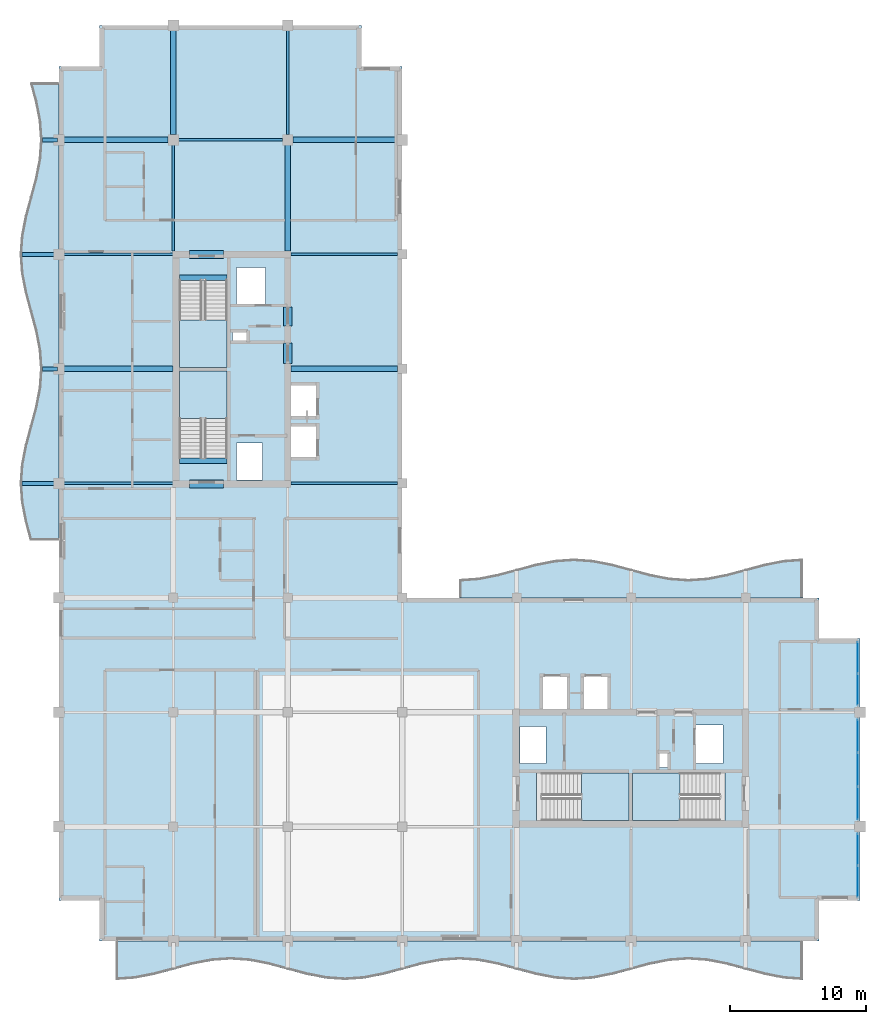
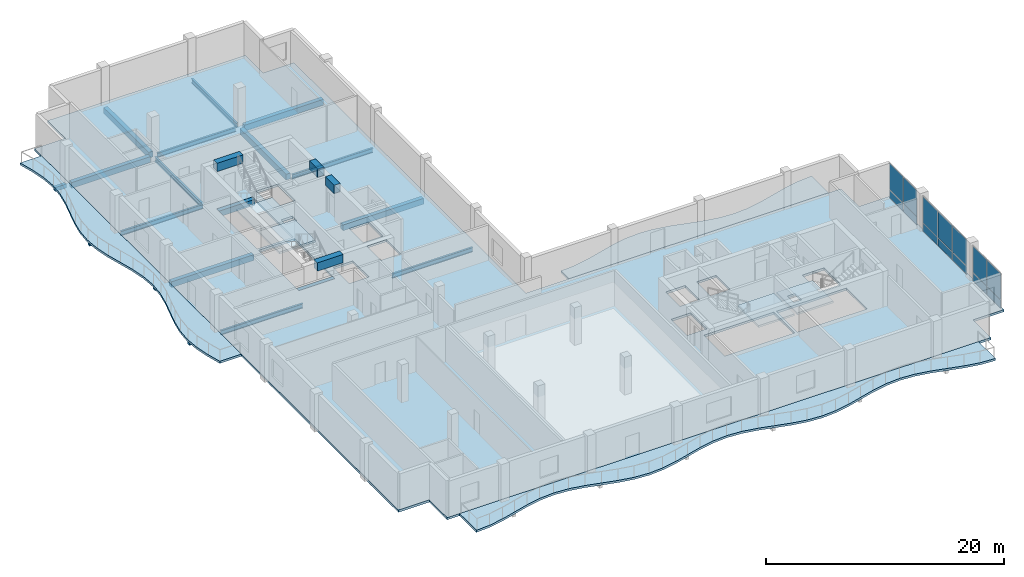
# One storey, part 5 of 14: 23 beams, 14 plates, 8 slabs, 7 elements without a shape of their own.
"""IFC4 building model written with IfcOpenShell, lengths in metres."""

from ifc_helpers import new_model, si_unit, direction, frame, origin, origin_2d, place, context, subcontext, project, spatial, polyline, rectangle, i_section, outline, extrude, material, layer, layer_set, material_profile, profile_set, type_object, element, aggregate, save


model = new_model("IFC4")

# Units and contexts
model_context = context("Model", 3, precision=1e-05, world=origin(), true_north=direction((0.0, 1.0)))
body_context = subcontext(model_context, "Body", "Model", "MODEL_VIEW")
ifc_project = project(units=[si_unit("LENGTHUNIT", "METRE"), si_unit("AREAUNIT", "SQUARE_METRE"), si_unit("VOLUMEUNIT", "CUBIC_METRE"), si_unit("PLANEANGLEUNIT", "RADIAN"), si_unit("MASSUNIT", "GRAM", prefix="KILO")], contexts=[model_context])

# Site, building, storey
site_placement = place(None, origin())
site = spatial("IfcSite", under=ifc_project, at=site_placement, CompositionType="ELEMENT")
building_placement = place(site_placement, origin())
building = spatial("IfcBuilding", under=site, at=building_placement, Name="Koriwani Terraces Tower", CompositionType="ELEMENT")
storey_placement = place(building_placement, frame((0.0, 0.0, 339.800048828125)))
storey = spatial("IfcBuildingStorey", under=building, at=storey_placement, Name="L84", CompositionType="ELEMENT", Elevation=339.800048828125)

# Beams
ifc_material_1 = material(Name="Concrete C40/50", Category="concrete")
ifc_material_profile_1 = material_profile(ifc_material_1, rectangle(XDim=0.300048828125, YDim=0.39990234375, at=origin_2d()), Name="Concrete C40/50", Category="LoadBearing")
ifc_profile_set_1 = profile_set([ifc_material_profile_1], Name="Concrete C40/50")
beam_type_1 = type_object("IfcBeamType", Name="BEAM_RC_BALCONY_RIB_300X400", PredefinedType="JOIST", material=ifc_profile_set_1)
beam_1_placement = place(storey_placement, frame((5.699951171875, 42.0, -0.429931640625), z_axis=(1.0, 0.0, 0.0), x_axis=(0.0, 1.0, 0.0)))
element("IfcBeam", 1, at=beam_1_placement, inside=storey, type_object=beam_type_1, Name="L84 Balcony Bracket Rib W-1", PredefinedType="JOIST", context=body_context, shape_type="SweptSolid", body=[
    extrude(rectangle(XDim=0.300048828125, YDim=0.39990234375, at=origin_2d()), origin(), (0.0, 0.0, 1.0), 2.60009765625),
])
beam_2_placement = place(storey_placement, frame((7.199951171875, 50.39990234375, -0.429931640625), z_axis=(1.0, 0.0, 0.0), x_axis=(0.0, 1.0, 0.0)))
element("IfcBeam", 2, at=beam_2_placement, inside=storey, type_object=beam_type_1, Name="L84 Balcony Bracket Rib W-2", PredefinedType="JOIST", context=body_context, shape_type="SweptSolid", body=[
    extrude(rectangle(XDim=0.300048828125, YDim=0.39990234375, at=origin_2d()), origin(), (0.0, 0.0, 1.0), 1.10009765625),
])
beam_3_placement = place(storey_placement, frame((5.699951171875, 58.800048828125, -0.429931640625), z_axis=(1.0, 0.0, 0.0), x_axis=(0.0, 1.0, 0.0)))
element("IfcBeam", 3, at=beam_3_placement, inside=storey, type_object=beam_type_1, Name="L84 Balcony Bracket Rib W-3", PredefinedType="JOIST", context=body_context, shape_type="SweptSolid", body=[
    extrude(rectangle(XDim=0.300048828125, YDim=0.39990234375, at=origin_2d()), origin(), (0.0, 0.0, 1.0), 2.60009765625),
])
beam_4_placement = place(storey_placement, frame((7.199951171875, 67.199951171875, -0.429931640625), z_axis=(1.0, 0.0, 0.0), x_axis=(0.0, 1.0, 0.0)))
element("IfcBeam", 4, at=beam_4_placement, inside=storey, type_object=beam_type_1, Name="L84 Balcony Bracket Rib W-4", PredefinedType="JOIST", context=body_context, shape_type="SweptSolid", body=[
    extrude(rectangle(XDim=0.300048828125, YDim=0.39990234375, at=origin_2d()), origin(), (0.0, 0.0, 1.0), 1.10009765625),
])
ifc_material_2 = material(Name="Concrete C50/60", Category="concrete")
ifc_material_profile_2 = material_profile(ifc_material_2, rectangle(XDim=0.60009765625, YDim=0.85009765625, at=origin_2d()), Name="Concrete C50/60", Category="LoadBearing")
ifc_profile_set_2 = profile_set([ifc_material_profile_2], Name="Concrete C50/60")
beam_type_2 = type_object("IfcBeamType", Name="BEAM_RC_COUPLING_600X850", PredefinedType="LINTEL", material=ifc_profile_set_2)
beam_5_placement = place(storey_placement, frame((25.199951171875, 50.800048828125, 3.244873046875), z_axis=(0.0, 1.0, 0.0), x_axis=(-1.0, 0.0, 0.0)))
element("IfcBeam", 5, at=beam_5_placement, inside=storey, type_object=beam_type_2, Name="L84 Core Coupling Lintel Beam WE1", PredefinedType="LINTEL", context=body_context, shape_type="SweptSolid", body=[
    extrude(rectangle(XDim=0.60009765625, YDim=0.85009765625, at=origin_2d()), origin(), (0.0, 0.0, 1.0), 1.47998046875),
])
beam_6_placement = place(storey_placement, frame((25.199951171875, 53.550048828125, 3.244873046875), z_axis=(0.0, 1.0, 0.0), x_axis=(-1.0, 0.0, 0.0)))
element("IfcBeam", 6, at=beam_6_placement, inside=storey, type_object=beam_type_2, Name="L84 Core Coupling Lintel Beam WE2", PredefinedType="LINTEL", context=body_context, shape_type="SweptSolid", body=[
    extrude(rectangle(XDim=0.60009765625, YDim=0.85009765625, at=origin_2d()), origin(), (0.0, 0.0, 1.0), 1.39990234375),
])
for number, where, z_axis, x_axis, name in (
    (7, (18.0, 41.949951171875, 3.244873046875), (1.0, 0.0, 0.0), (0.0, 1.0, 0.0), "L84 Core Coupling Lintel Beam WS"),
    (8, (18.0, 58.800048828125, 3.244873046875), (1.0, 0.0, 0.0), (0.0, 1.0, 0.0), "L84 Core Coupling Lintel Beam WN"),
):
    element("IfcBeam", number, at=place(storey_placement, frame(where, z_axis=z_axis, x_axis=x_axis)), inside=storey, type_object=beam_type_2, Name=name, PredefinedType="LINTEL", context=body_context, shape_type="SweptSolid", body=[
        extrude(rectangle(XDim=0.60009765625, YDim=0.85009765625, at=origin_2d()), origin(), (0.0, 0.0, 1.0), 2.5),
    ])
ifc_material_profile_3 = material_profile(ifc_material_1, rectangle(XDim=0.39990234375, YDim=0.60009765625, at=origin_2d()), Name="Concrete C40/50", Category="LoadBearing")
ifc_profile_set_3 = profile_set([ifc_material_profile_3], Name="Concrete C40/50")
beam_type_3 = type_object("IfcBeamType", Name="BEAM_RC_GRID_400X600", PredefinedType="BEAM", material=ifc_profile_set_3)
for number, where, z_axis, x_axis, name in (
    (9, (17.25, 43.655029296875, -0.300048828125), (1.0, 0.0, 0.0), (0.0, 1.0, 0.0), "L84 Stairwell Header Trimmer Beam ST-W1"),
    (10, (17.25, 57.094970703125, -0.300048828125), (1.0, 0.0, 0.0), (0.0, 1.0, 0.0), "L84 Stairwell Header Trimmer Beam ST-W2"),
):
    element("IfcBeam", number, at=place(storey_placement, frame(where, z_axis=z_axis, x_axis=x_axis)), inside=storey, type_object=beam_type_3, Name=name, PredefinedType="BEAM", context=body_context, shape_type="SweptSolid", body=[
        extrude(rectangle(XDim=0.39990234375, YDim=0.60009765625, at=origin_2d()), origin(), (0.0, 0.0, 1.0), 3.5),
    ])
beam_7_placement = place(storey_placement, frame((8.780029296875, 50.39990234375, -0.530029296875), z_axis=(1.0, 0.0, 0.0), x_axis=(0.0, 1.0, 0.0)))
element("IfcBeam", 11, at=beam_7_placement, inside=storey, type_object=beam_type_3, Name="L84 Grid Beam G (8.4-16.8m)", PredefinedType="BEAM", context=body_context, shape_type="SweptSolid", body=[
    extrude(rectangle(XDim=0.39990234375, YDim=0.60009765625, at=origin_2d()), origin(), (0.0, 0.0, 1.0), 7.989990234375),
])
beam_8_placement = place(storey_placement, frame((25.429931640625, 50.39990234375, -0.530029296875), z_axis=(1.0, 0.0, 0.0), x_axis=(0.0, 1.0, 0.0)))
element("IfcBeam", 12, at=beam_8_placement, inside=storey, type_object=beam_type_3, Name="L84 Grid Beam G (25.2-33.6m)", PredefinedType="BEAM", context=body_context, shape_type="SweptSolid", body=[
    extrude(rectangle(XDim=0.39990234375, YDim=0.60009765625, at=origin_2d()), origin(), (0.0, 0.0, 1.0), 7.840087890625),
])
for number, where, z_axis, x_axis, name in (
    (13, (8.780029296875, 67.199951171875, -0.530029296875), (1.0, 0.0, 0.0), (0.0, 1.0, 0.0), "L84 Grid Beam I (8.4-16.8m)"),
    (14, (25.580078125, 67.199951171875, -0.530029296875), (1.0, 0.0, 0.0), (0.0, 1.0, 0.0), "L84 Grid Beam I (25.2-33.6m)"),
    (15, (16.800048828125, 67.580078125, -0.530029296875), (0.0, 1.0, 0.0), (-1.0, 0.0, 0.0), "L84 Grid Beam 3 (67.2-75.6m)"),
):
    element("IfcBeam", number, at=place(storey_placement, frame(where, z_axis=z_axis, x_axis=x_axis)), inside=storey, type_object=beam_type_3, Name=name, PredefinedType="BEAM", context=body_context, shape_type="SweptSolid", body=[
        extrude(rectangle(XDim=0.39990234375, YDim=0.60009765625, at=origin_2d()), origin(), (0.0, 0.0, 1.0), 7.639892578125),
    ])
beam_9_placement = place(storey_placement, frame((25.199951171875, 59.030029296875, -0.530029296875), z_axis=(0.0, 1.0, 0.0), x_axis=(-1.0, 0.0, 0.0)))
element("IfcBeam", 16, at=beam_9_placement, inside=storey, type_object=beam_type_3, Name="L84 Grid Beam 4 (58.8-67.2m)", PredefinedType="BEAM", context=body_context, shape_type="SweptSolid", body=[
    extrude(rectangle(XDim=0.39990234375, YDim=0.60009765625, at=origin_2d()), origin(), (0.0, 0.0, 1.0), 7.7900390625),
])
ifc_material_3 = material(Name="Steel ASTM A572 Grade 50", Category="steel")
ifc_material_profile_4 = material_profile(ifc_material_3, i_section(OverallWidth=0.193115234375, OverallDepth=0.462890625, WebThickness=0.0107421875, FlangeThickness=0.017333984375, at=origin_2d()), Name="Steel ASTM A572 Grade 50", Category="LoadBearing")
ifc_profile_set_4 = profile_set([ifc_material_profile_4], Name="Steel ASTM A572 Grade 50")
beam_type_4 = type_object("IfcBeamType", Name="STEEL_BEAM_W460X113", PredefinedType="BEAM", material=ifc_profile_set_4)
beam_10_placement = place(storey_placement, frame((8.780029296875, 42.0, -0.461669921875), z_axis=(1.0, 0.0, 0.0), x_axis=(0.0, 1.0, 0.0)))
element("IfcBeam", 17, at=beam_10_placement, inside=storey, type_object=beam_type_4, Name="L84 Grid Beam F (8.4-16.8m)", PredefinedType="BEAM", context=body_context, shape_type="SweptSolid", body=[
    extrude(i_section(OverallWidth=0.193115234375, OverallDepth=0.462890625, WebThickness=0.0107421875, FlangeThickness=0.017333984375, at=origin_2d()), origin(), (0.0, 0.0, 1.0), 7.989990234375),
])
beam_11_placement = place(storey_placement, frame((25.429931640625, 42.0, -0.461669921875), z_axis=(1.0, 0.0, 0.0), x_axis=(0.0, 1.0, 0.0)))
element("IfcBeam", 18, at=beam_11_placement, inside=storey, type_object=beam_type_4, Name="L84 Grid Beam F (25.2-33.6m)", PredefinedType="BEAM", context=body_context, shape_type="SweptSolid", body=[
    extrude(i_section(OverallWidth=0.193115234375, OverallDepth=0.462890625, WebThickness=0.0107421875, FlangeThickness=0.017333984375, at=origin_2d()), origin(), (0.0, 0.0, 1.0), 7.840087890625),
])
beam_12_placement = place(storey_placement, frame((8.780029296875, 58.800048828125, -0.461669921875), z_axis=(1.0, 0.0, 0.0), x_axis=(0.0, 1.0, 0.0)))
element("IfcBeam", 19, at=beam_12_placement, inside=storey, type_object=beam_type_4, Name="L84 Grid Beam H (8.4-16.8m)", PredefinedType="BEAM", context=body_context, shape_type="SweptSolid", body=[
    extrude(i_section(OverallWidth=0.193115234375, OverallDepth=0.462890625, WebThickness=0.0107421875, FlangeThickness=0.017333984375, at=origin_2d()), origin(), (0.0, 0.0, 1.0), 7.989990234375),
])
beam_13_placement = place(storey_placement, frame((25.429931640625, 58.800048828125, -0.461669921875), z_axis=(1.0, 0.0, 0.0), x_axis=(0.0, 1.0, 0.0)))
element("IfcBeam", 20, at=beam_13_placement, inside=storey, type_object=beam_type_4, Name="L84 Grid Beam H (25.2-33.6m)", PredefinedType="BEAM", context=body_context, shape_type="SweptSolid", body=[
    extrude(i_section(OverallWidth=0.193115234375, OverallDepth=0.462890625, WebThickness=0.0107421875, FlangeThickness=0.017333984375, at=origin_2d()), origin(), (0.0, 0.0, 1.0), 7.840087890625),
])
beam_14_placement = place(storey_placement, frame((17.179931640625, 67.199951171875, -0.461669921875), z_axis=(1.0, 0.0, 0.0), x_axis=(0.0, 1.0, 0.0)))
element("IfcBeam", 21, at=beam_14_placement, inside=storey, type_object=beam_type_4, Name="L84 Grid Beam I (16.8-25.2m)", PredefinedType="BEAM", context=body_context, shape_type="SweptSolid", body=[
    extrude(i_section(OverallWidth=0.193115234375, OverallDepth=0.462890625, WebThickness=0.0107421875, FlangeThickness=0.017333984375, at=origin_2d()), origin(), (0.0, 0.0, 1.0), 7.64013671875),
])
beam_15_placement = place(storey_placement, frame((16.800048828125, 59.030029296875, -0.461669921875), z_axis=(0.0, 1.0, 0.0), x_axis=(-1.0, 0.0, 0.0)))
element("IfcBeam", 22, at=beam_15_placement, inside=storey, type_object=beam_type_4, Name="L84 Grid Beam 3 (58.8-67.2m)", PredefinedType="BEAM", context=body_context, shape_type="SweptSolid", body=[
    extrude(i_section(OverallWidth=0.193115234375, OverallDepth=0.462890625, WebThickness=0.0107421875, FlangeThickness=0.017333984375, at=origin_2d()), origin(), (0.0, 0.0, 1.0), 7.7900390625),
])
beam_16_placement = place(storey_placement, frame((25.199951171875, 67.580078125, -0.461669921875), z_axis=(0.0, 1.0, 0.0), x_axis=(-1.0, 0.0, 0.0)))
element("IfcBeam", 23, at=beam_16_placement, inside=storey, type_object=beam_type_4, Name="L84 Grid Beam 4 (67.2-75.6m)", PredefinedType="BEAM", context=body_context, shape_type="SweptSolid", body=[
    extrude(i_section(OverallWidth=0.193115234375, OverallDepth=0.462890625, WebThickness=0.0107421875, FlangeThickness=0.017333984375, at=origin_2d()), origin(), (0.0, 0.0, 1.0), 7.639892578125),
])

# Curtain wall, plates
ifc_material_4 = material(Name="Anodised Bronze Aluminium", Category="aluminium")
ifc_layer_1 = layer(ifc_material_4, 0.18994140625, Name="Anodised Bronze Aluminium")
ifc_layer_set_1 = layer_set([ifc_layer_1], Name="Anodised Bronze Aluminium")
curtain_wall_type = type_object("IfcCurtainWallType", Name="CW_PENTHOUSE_ZONE5", PredefinedType="NOTDEFINED", material=ifc_layer_set_1)
curtain_wall_1_placement = place(storey_placement, origin())
curtain_wall_1 = element("IfcCurtainWall", 24, at=curtain_wall_1_placement, inside=storey, type_object=curtain_wall_type, Name="L84 Unitised Curtain Wall (E_TIP) Bay 1", PredefinedType="NOTDEFINED")
ifc_material_5 = material(Name="Tempered Laminated Low-E Glass", Category="glass")
ifc_layer_2 = layer(ifc_material_5, 0.028076171875, Name="Tempered Laminated Low-E Glass")
ifc_layer_set_2 = layer_set([ifc_layer_2], Name="Tempered Laminated Low-E Glass")
plate_type = type_object("IfcPlateType", Name="CW_PANEL_VISION_28", PredefinedType="CURTAIN_PANEL", material=ifc_layer_set_2)
plate_1_placement = place(storey_placement, frame((67.02490234375, 29.215087890625, 0.06494140625), z_axis=(0.0, 0.0, 1.0), x_axis=(0.0, -1.0, 0.0)))
plate_1 = element("IfcPlate", 25, at=plate_1_placement, type_object=plate_type, Name="CW-Z5 panel 1.1", PredefinedType="CURTAIN_PANEL", context=body_context, shape_type="SweptSolid", body=[
    extrude(rectangle(XDim=2.27001953125, YDim=0.028076171875, at=origin_2d()), origin(), (0.0, 0.0, 1.0), 0.802490234375),
])
plate_2_placement = place(storey_placement, frame((67.02490234375, 29.215087890625, 0.9326171875), z_axis=(0.0, 0.0, 1.0), x_axis=(0.0, -1.0, 0.0)))
plate_2 = element("IfcPlate", 26, at=plate_2_placement, type_object=plate_type, Name="CW-Z5 panel 1.2", PredefinedType="CURTAIN_PANEL", context=body_context, shape_type="SweptSolid", body=[
    extrude(rectangle(XDim=2.27001953125, YDim=0.028076171875, at=origin_2d()), origin(), (0.0, 0.0, 1.0), 2.672607421875),
])
plate_3_placement = place(storey_placement, frame((67.02490234375, 26.8701171875, 0.06494140625), z_axis=(0.0, 0.0, 1.0), x_axis=(0.0, -1.0, 0.0)))
plate_3 = element("IfcPlate", 27, at=plate_3_placement, type_object=plate_type, Name="CW-Z5 panel 2.1", PredefinedType="CURTAIN_PANEL", context=body_context, shape_type="SweptSolid", body=[
    extrude(rectangle(XDim=2.27001953125, YDim=0.028076171875, at=origin_2d()), origin(), (0.0, 0.0, 1.0), 0.802490234375),
])
plate_4_placement = place(storey_placement, frame((67.02490234375, 26.8701171875, 0.9326171875), z_axis=(0.0, 0.0, 1.0), x_axis=(0.0, -1.0, 0.0)))
plate_4 = element("IfcPlate", 28, at=plate_4_placement, type_object=plate_type, Name="CW-Z5 panel 2.2", PredefinedType="CURTAIN_PANEL", context=body_context, shape_type="SweptSolid", body=[
    extrude(rectangle(XDim=2.27001953125, YDim=0.028076171875, at=origin_2d()), origin(), (0.0, 0.0, 1.0), 2.672607421875),
])
aggregate(curtain_wall_1, [plate_1, plate_2, plate_3, plate_4])

curtain_wall_2_placement = place(storey_placement, origin())
curtain_wall_2 = element("IfcCurtainWall", 29, at=curtain_wall_2_placement, inside=storey, type_object=curtain_wall_type, Name="L84 Unitised Curtain Wall (E_TIP) Bay 2", PredefinedType="NOTDEFINED")
plate_5_placement = place(storey_placement, frame((67.02490234375, 23.474609375, 0.06494140625), z_axis=(0.0, 0.0, 1.0), x_axis=(0.0, -1.0, 0.0)))
plate_5 = element("IfcPlate", 30, at=plate_5_placement, type_object=plate_type, Name="CW-Z5 panel 1.1", PredefinedType="CURTAIN_PANEL", context=body_context, shape_type="SweptSolid", body=[
    extrude(rectangle(XDim=2.380859375, YDim=0.028076171875, at=origin_2d()), origin(), (0.0, 0.0, 1.0), 0.802490234375),
])
plate_6_placement = place(storey_placement, frame((67.02490234375, 23.474609375, 0.9326171875), z_axis=(0.0, 0.0, 1.0), x_axis=(0.0, -1.0, 0.0)))
plate_6 = element("IfcPlate", 31, at=plate_6_placement, type_object=plate_type, Name="CW-Z5 panel 1.2", PredefinedType="CURTAIN_PANEL", context=body_context, shape_type="SweptSolid", body=[
    extrude(rectangle(XDim=2.380859375, YDim=0.028076171875, at=origin_2d()), origin(), (0.0, 0.0, 1.0), 2.672607421875),
])
plate_7_placement = place(storey_placement, frame((67.02490234375, 21.0, 0.06494140625), z_axis=(0.0, 0.0, 1.0), x_axis=(0.0, -1.0, 0.0)))
plate_7 = element("IfcPlate", 32, at=plate_7_placement, type_object=plate_type, Name="CW-Z5 panel 2.1", PredefinedType="CURTAIN_PANEL", context=body_context, shape_type="SweptSolid", body=[
    extrude(rectangle(XDim=2.418212890625, YDim=0.028076171875, at=origin_2d()), origin(), (0.0, 0.0, 1.0), 0.802490234375),
])
plate_8_placement = place(storey_placement, frame((67.02490234375, 21.0, 0.9326171875), z_axis=(0.0, 0.0, 1.0), x_axis=(0.0, -1.0, 0.0)))
plate_8 = element("IfcPlate", 33, at=plate_8_placement, type_object=plate_type, Name="CW-Z5 panel 2.2", PredefinedType="CURTAIN_PANEL", context=body_context, shape_type="SweptSolid", body=[
    extrude(rectangle(XDim=2.418212890625, YDim=0.028076171875, at=origin_2d()), origin(), (0.0, 0.0, 1.0), 2.672607421875),
])
plate_9_placement = place(storey_placement, frame((67.02490234375, 18.525390625, 0.06494140625), z_axis=(0.0, 0.0, 1.0), x_axis=(0.0, -1.0, 0.0)))
plate_9 = element("IfcPlate", 34, at=plate_9_placement, type_object=plate_type, Name="CW-Z5 panel 3.1", PredefinedType="CURTAIN_PANEL", context=body_context, shape_type="SweptSolid", body=[
    extrude(rectangle(XDim=2.380859375, YDim=0.028076171875, at=origin_2d()), origin(), (0.0, 0.0, 1.0), 0.802490234375),
])
plate_10_placement = place(storey_placement, frame((67.02490234375, 18.525390625, 0.9326171875), z_axis=(0.0, 0.0, 1.0), x_axis=(0.0, -1.0, 0.0)))
plate_10 = element("IfcPlate", 35, at=plate_10_placement, type_object=plate_type, Name="CW-Z5 panel 3.2", PredefinedType="CURTAIN_PANEL", context=body_context, shape_type="SweptSolid", body=[
    extrude(rectangle(XDim=2.380859375, YDim=0.028076171875, at=origin_2d()), origin(), (0.0, 0.0, 1.0), 2.672607421875),
])
aggregate(curtain_wall_2, [plate_5, plate_6, plate_7, plate_8, plate_9, plate_10])

curtain_wall_3_placement = place(storey_placement, origin())
curtain_wall_3 = element("IfcCurtainWall", 36, at=curtain_wall_3_placement, inside=storey, type_object=curtain_wall_type, Name="L84 Unitised Curtain Wall (E_TIP) Bay 3", PredefinedType="NOTDEFINED")
plate_11_placement = place(storey_placement, frame((67.02490234375, 15.1298828125, 0.06494140625), z_axis=(0.0, 0.0, 1.0), x_axis=(0.0, -1.0, 0.0)))
plate_11 = element("IfcPlate", 37, at=plate_11_placement, type_object=plate_type, Name="CW-Z5 panel 1.1", PredefinedType="CURTAIN_PANEL", context=body_context, shape_type="SweptSolid", body=[
    extrude(rectangle(XDim=2.27001953125, YDim=0.028076171875, at=origin_2d()), origin(), (0.0, 0.0, 1.0), 0.802490234375),
])
plate_12_placement = place(storey_placement, frame((67.02490234375, 15.1298828125, 0.9326171875), z_axis=(0.0, 0.0, 1.0), x_axis=(0.0, -1.0, 0.0)))
plate_12 = element("IfcPlate", 38, at=plate_12_placement, type_object=plate_type, Name="CW-Z5 panel 1.2", PredefinedType="CURTAIN_PANEL", context=body_context, shape_type="SweptSolid", body=[
    extrude(rectangle(XDim=2.27001953125, YDim=0.028076171875, at=origin_2d()), origin(), (0.0, 0.0, 1.0), 2.672607421875),
])
plate_13_placement = place(storey_placement, frame((67.02490234375, 12.784912109375, 0.06494140625), z_axis=(0.0, 0.0, 1.0), x_axis=(0.0, -1.0, 0.0)))
plate_13 = element("IfcPlate", 39, at=plate_13_placement, type_object=plate_type, Name="CW-Z5 panel 2.1", PredefinedType="CURTAIN_PANEL", context=body_context, shape_type="SweptSolid", body=[
    extrude(rectangle(XDim=2.27001953125, YDim=0.028076171875, at=origin_2d()), origin(), (0.0, 0.0, 1.0), 0.802490234375),
])
plate_14_placement = place(storey_placement, frame((67.02490234375, 12.784912109375, 0.9326171875), z_axis=(0.0, 0.0, 1.0), x_axis=(0.0, -1.0, 0.0)))
plate_14 = element("IfcPlate", 40, at=plate_14_placement, type_object=plate_type, Name="CW-Z5 panel 2.2", PredefinedType="CURTAIN_PANEL", context=body_context, shape_type="SweptSolid", body=[
    extrude(rectangle(XDim=2.27001953125, YDim=0.028076171875, at=origin_2d()), origin(), (0.0, 0.0, 1.0), 2.672607421875),
])
aggregate(curtain_wall_3, [plate_11, plate_12, plate_13, plate_14])

# Slabs
ifc_layer_3 = layer(ifc_material_1, 0.219970703125, Name="Concrete C40/50")
ifc_layer_set_3 = layer_set([ifc_layer_3], Name="Concrete C40/50")
slab_type_1 = type_object("IfcSlabType", Name="SLAB_BALCONY_220", PredefinedType="FLOOR", material=ifc_layer_set_3)
slab_1_placement = place(storey_placement, frame((0.0, 0.0, -0.219970703125)))
element("IfcSlab", 41, at=slab_1_placement, inside=storey, type_object=slab_type_1, Name="L84 Quilted Circular-Arc Balcony (S)", PredefinedType="FLOOR", context=body_context, shape_type="SweptSolid", body=[
    extrude(outline(polyline([(12.60009765625, 8.39990234375), (14.0, 8.39990234375), (15.39990234375, 8.39990234375), (16.800048828125, 8.39990234375), (18.199951171875, 8.39990234375), (19.60009765625, 8.39990234375), (21.0, 8.39990234375), (22.39990234375, 8.39990234375), (23.800048828125, 8.39990234375), (25.199951171875, 8.39990234375), (26.60009765625, 8.39990234375), (28.0, 8.39990234375), (29.39990234375, 8.39990234375), (30.800048828125, 8.39990234375), (32.199951171875, 8.39990234375), (33.60009765625, 8.39990234375), (35.0, 8.39990234375), (36.39990234375, 8.39990234375), (37.800048828125, 8.39990234375), (39.199951171875, 8.39990234375), (40.60009765625, 8.39990234375), (42.0, 8.39990234375), (43.39990234375, 8.39990234375), (44.800048828125, 8.39990234375), (46.199951171875, 8.39990234375), (47.60009765625, 8.39990234375), (49.0, 8.39990234375), (50.39990234375, 8.39990234375), (51.800048828125, 8.39990234375), (53.199951171875, 8.39990234375), (54.60009765625, 8.39990234375), (56.0, 8.39990234375), (57.39990234375, 8.39990234375), (58.800048828125, 8.39990234375), (60.199951171875, 8.39990234375), (61.60009765625, 8.39990234375), (63.0, 8.39990234375), (63.0, 5.550048828125), (61.60009765625, 5.650390625), (60.199951171875, 5.925048828125), (58.800048828125, 6.300048828125), (57.39990234375, 6.675048828125), (56.0, 6.949462890625), (54.60009765625, 7.050048828125), (53.199951171875, 6.949462890625), (51.800048828125, 6.675048828125), (50.39990234375, 6.300048828125), (49.0, 5.925048828125), (47.60009765625, 5.650390625), (46.199951171875, 5.550048828125), (44.800048828125, 5.650390625), (43.39990234375, 5.925048828125), (42.0, 6.300048828125), (40.60009765625, 6.675048828125), (39.199951171875, 6.949462890625), (37.800048828125, 7.050048828125), (36.39990234375, 6.949462890625), (35.0, 6.675048828125), (33.60009765625, 6.300048828125), (32.199951171875, 5.925048828125), (30.800048828125, 5.650390625), (29.39990234375, 5.550048828125), (28.0, 5.650390625), (26.60009765625, 5.925048828125), (25.199951171875, 6.300048828125), (23.800048828125, 6.675048828125), (22.39990234375, 6.949462890625), (21.0, 7.050048828125), (19.60009765625, 6.949462890625), (18.199951171875, 6.675048828125), (16.800048828125, 6.300048828125), (15.39990234375, 5.925048828125), (14.0, 5.650390625), (12.60009765625, 5.550048828125), (12.60009765625, 8.39990234375)])), origin(), (0.0, 0.0, 1.0), 0.219970703125),
])
slab_2_placement = place(storey_placement, frame((0.0, 0.0, -0.219970703125)))
element("IfcSlab", 42, at=slab_2_placement, inside=storey, type_object=slab_type_1, Name="L84 Quilted Circular-Arc Balcony (W)", PredefinedType="FLOOR", context=body_context, shape_type="SweptSolid", body=[
    extrude(outline(polyline([(8.39990234375, 37.800048828125), (8.39990234375, 39.199951171875), (8.39990234375, 40.60009765625), (8.39990234375, 42.0), (8.39990234375, 43.39990234375), (8.39990234375, 44.800048828125), (8.39990234375, 46.199951171875), (8.39990234375, 47.60009765625), (8.39990234375, 49.0), (8.39990234375, 50.39990234375), (8.39990234375, 51.800048828125), (8.39990234375, 53.199951171875), (8.39990234375, 54.60009765625), (8.39990234375, 56.0), (8.39990234375, 57.39990234375), (8.39990234375, 58.800048828125), (8.39990234375, 60.199951171875), (8.39990234375, 61.60009765625), (8.39990234375, 63.0), (8.39990234375, 64.39990234375), (8.39990234375, 65.800048828125), (8.39990234375, 67.199951171875), (8.39990234375, 68.60009765625), (8.39990234375, 70.0), (8.39990234375, 71.39990234375), (6.300048828125, 71.39990234375), (6.675048828125, 70.0), (6.949462890625, 68.60009765625), (7.050048828125, 67.199951171875), (6.949462890625, 65.800048828125), (6.675048828125, 64.39990234375), (6.300048828125, 63.0), (5.925048828125, 61.60009765625), (5.650390625, 60.199951171875), (5.550048828125, 58.800048828125), (5.650390625, 57.39990234375), (5.925048828125, 56.0), (6.300048828125, 54.60009765625), (6.675048828125, 53.199951171875), (6.949462890625, 51.800048828125), (7.050048828125, 50.39990234375), (6.949462890625, 49.0), (6.675048828125, 47.60009765625), (6.300048828125, 46.199951171875), (5.925048828125, 44.800048828125), (5.650390625, 43.39990234375), (5.550048828125, 42.0), (5.650390625, 40.60009765625), (5.925048828125, 39.199951171875), (6.300048828125, 37.800048828125), (8.39990234375, 37.800048828125)])), origin(), (0.0, 0.0, 1.0), 0.219970703125),
])
slab_3_placement = place(storey_placement, frame((0.0, 0.0, -0.219970703125)))
element("IfcSlab", 43, at=slab_3_placement, inside=storey, type_object=slab_type_1, Name="L84 Quilted Circular-Arc Balcony (NE)", PredefinedType="FLOOR", context=body_context, shape_type="SweptSolid", body=[
    extrude(outline(polyline([(63.0, 33.60009765625), (61.60009765625, 33.60009765625), (60.199951171875, 33.60009765625), (58.800048828125, 33.60009765625), (57.39990234375, 33.60009765625), (56.0, 33.60009765625), (54.60009765625, 33.60009765625), (53.199951171875, 33.60009765625), (51.800048828125, 33.60009765625), (50.39990234375, 33.60009765625), (49.0, 33.60009765625), (47.60009765625, 33.60009765625), (46.199951171875, 33.60009765625), (44.800048828125, 33.60009765625), (43.39990234375, 33.60009765625), (42.0, 33.60009765625), (40.60009765625, 33.60009765625), (39.199951171875, 33.60009765625), (37.800048828125, 33.60009765625), (37.800048828125, 34.949951171875), (39.199951171875, 35.050537109375), (40.60009765625, 35.324951171875), (42.0, 35.699951171875), (43.39990234375, 36.074951171875), (44.800048828125, 36.349609375), (46.199951171875, 36.449951171875), (47.60009765625, 36.349609375), (49.0, 36.074951171875), (50.39990234375, 35.699951171875), (51.800048828125, 35.324951171875), (53.199951171875, 35.050537109375), (54.60009765625, 34.949951171875), (56.0, 35.050537109375), (57.39990234375, 35.324951171875), (58.800048828125, 35.699951171875), (60.199951171875, 36.074951171875), (61.60009765625, 36.349609375), (63.0, 36.449951171875), (63.0, 33.60009765625)])), origin(), (0.0, 0.0, 1.0), 0.219970703125),
])
ifc_layer_4 = layer(ifc_material_1, 0.22998046875, Name="Concrete C40/50")
ifc_layer_set_4 = layer_set([ifc_layer_4], Name="Concrete C40/50")
slab_type_2 = type_object("IfcSlabType", Name="SLAB_RES_TYP_230", PredefinedType="FLOOR", material=ifc_layer_set_4)
slab_4_placement = place(storey_placement, frame((0.0, 0.0, -0.22998046875)))
element("IfcSlab", 44, at=slab_4_placement, inside=storey, type_object=slab_type_2, Name="L84 Structural Floor Slab", PredefinedType="FLOOR", context=body_context, shape_type="SweptSolid", body=[
    extrude(outline(polyline([(11.39990234375, 8.39990234375), (64.199951171875, 8.39990234375), (64.199951171875, 11.39990234375), (67.199951171875, 11.39990234375), (67.199951171875, 30.60009765625), (64.199951171875, 30.60009765625), (64.199951171875, 33.60009765625), (33.60009765625, 33.60009765625), (33.60009765625, 72.60009765625), (30.60009765625, 72.60009765625), (30.60009765625, 75.60009765625), (11.39990234375, 75.60009765625), (11.39990234375, 72.60009765625), (8.39990234375, 72.60009765625), (8.39990234375, 11.39990234375), (11.39990234375, 11.39990234375), (11.39990234375, 8.39990234375)]), holes=[polyline([(17.25, 43.4599609375), (20.75, 43.4599609375), (20.75, 50.25), (17.25, 50.25), (17.25, 43.4599609375)]), polyline([(17.25, 50.5), (20.75, 50.5), (20.75, 57.2900390625), (17.25, 57.2900390625), (17.25, 50.5)]), polyline([(43.4599609375, 17.25), (50.25, 17.25), (50.25, 20.75), (43.4599609375, 20.75), (43.4599609375, 17.25)]), polyline([(50.5, 17.25), (57.2900390625, 17.25), (57.2900390625, 20.75), (50.5, 20.75), (50.5, 17.25)]), polyline([(25.449951171875, 43.85009765625), (27.35009765625, 43.85009765625), (27.35009765625, 46.25), (25.449951171875, 46.25), (25.449951171875, 43.85009765625)]), polyline([(25.449951171875, 46.85009765625), (27.35009765625, 46.85009765625), (27.35009765625, 49.25), (25.449951171875, 49.25), (25.449951171875, 46.85009765625)]), polyline([(43.85009765625, 25.449951171875), (45.75, 25.449951171875), (45.75, 27.85009765625), (43.85009765625, 27.85009765625), (43.85009765625, 25.449951171875)]), polyline([(46.85009765625, 25.449951171875), (48.75, 25.449951171875), (48.75, 27.85009765625), (46.85009765625, 27.85009765625), (46.85009765625, 25.449951171875)]), polyline([(21.449951171875, 55.050048828125), (23.550048828125, 55.050048828125), (23.550048828125, 57.85009765625), (21.449951171875, 57.85009765625), (21.449951171875, 55.050048828125)]), polyline([(55.050048828125, 21.449951171875), (57.14990234375, 21.449951171875), (57.14990234375, 24.25), (55.050048828125, 24.25), (55.050048828125, 21.449951171875)]), polyline([(21.449951171875, 42.25), (23.35009765625, 42.25), (23.35009765625, 44.949951171875), (21.449951171875, 44.949951171875), (21.449951171875, 42.25)]), polyline([(42.25, 21.449951171875), (44.14990234375, 21.449951171875), (44.14990234375, 24.14990234375), (42.25, 24.14990234375), (42.25, 21.449951171875)]), polyline([(21.14990234375, 52.419921875), (22.219970703125, 52.419921875), (22.219970703125, 53.179931640625), (21.14990234375, 53.179931640625), (21.14990234375, 52.419921875)]), polyline([(52.419921875, 21.14990234375), (53.179931640625, 21.14990234375), (53.179931640625, 22.219970703125), (52.419921875, 22.219970703125), (52.419921875, 21.14990234375)])]), origin(), (0.0, 0.0, 1.0), 0.22998046875),
])

# Stair, slab
stair_type = type_object("IfcStairType", Name="STAIR_CORE_DOGLEG_1650", PredefinedType="TWO_STRAIGHT_RUN_STAIR", material=ifc_material_1)
stair_1_placement = place(storey_placement, origin())
stair_1 = element("IfcStair", 45, at=stair_1_placement, inside=storey, type_object=stair_type, Name="L84 West Core Exit Stair 1", PredefinedType="HALF_TURN_STAIR")
ifc_layer_5 = layer(ifc_material_1, 0.199951171875, Name="Concrete C40/50")
ifc_layer_set_5 = layer_set([ifc_layer_5], Name="Concrete C40/50")
slab_type_3 = type_object("IfcSlabType", Name="SLAB_STAIR_LANDING_200", PredefinedType="LANDING", material=ifc_layer_set_5)
slab_5_placement = place(storey_placement, frame((0.0, 0.0, 1.75)))
slab_5 = element("IfcSlab", 46, at=slab_5_placement, type_object=slab_type_3, Name="ST-W1 landing 1", PredefinedType="LANDING", context=body_context, shape_type="SweptSolid", body=[
    extrude(outline(polyline([(20.75, 46.75), (20.75, 50.25), (17.25, 50.25), (17.25, 46.75), (20.75, 46.75)])), origin(), (0.0, 0.0, 1.0), 0.199951171875),
])
aggregate(stair_1, [slab_5])

stair_2_placement = place(storey_placement, origin())
stair_2 = element("IfcStair", 47, at=stair_2_placement, inside=storey, type_object=stair_type, Name="L84 West Core Exit Stair 2", PredefinedType="HALF_TURN_STAIR")
slab_6_placement = place(storey_placement, frame((0.0, 0.0, 1.75)))
slab_6 = element("IfcSlab", 48, at=slab_6_placement, type_object=slab_type_3, Name="ST-W2 landing 1", PredefinedType="LANDING", context=body_context, shape_type="SweptSolid", body=[
    extrude(outline(polyline([(17.25, 54.0), (17.25, 50.5), (20.75, 50.5), (20.75, 54.0), (17.25, 54.0)])), origin(), (0.0, 0.0, 1.0), 0.199951171875),
])
aggregate(stair_2, [slab_6])

stair_3_placement = place(storey_placement, origin())
stair_3 = element("IfcStair", 49, at=stair_3_placement, inside=storey, type_object=stair_type, Name="L84 East Core Exit Stair 1", PredefinedType="HALF_TURN_STAIR")
slab_7_placement = place(storey_placement, frame((0.0, 0.0, 1.75)))
slab_7 = element("IfcSlab", 50, at=slab_7_placement, type_object=slab_type_3, Name="ST-E1 landing 1", PredefinedType="LANDING", context=body_context, shape_type="SweptSolid", body=[
    extrude(outline(polyline([(46.75, 17.25), (50.25, 17.25), (50.25, 20.75), (46.75, 20.75), (46.75, 17.25)])), origin(), (0.0, 0.0, 1.0), 0.199951171875),
])
aggregate(stair_3, [slab_7])

stair_4_placement = place(storey_placement, origin())
stair_4 = element("IfcStair", 51, at=stair_4_placement, inside=storey, type_object=stair_type, Name="L84 East Core Exit Stair 2", PredefinedType="HALF_TURN_STAIR")
slab_8_placement = place(storey_placement, frame((0.0, 0.0, 1.75)))
slab_8 = element("IfcSlab", 52, at=slab_8_placement, type_object=slab_type_3, Name="ST-E2 landing 1", PredefinedType="LANDING", context=body_context, shape_type="SweptSolid", body=[
    extrude(outline(polyline([(54.0, 20.75), (50.5, 20.75), (50.5, 17.25), (54.0, 17.25), (54.0, 20.75)])), origin(), (0.0, 0.0, 1.0), 0.199951171875),
])
aggregate(stair_4, [slab_8])

save(model, "model.ifc")
